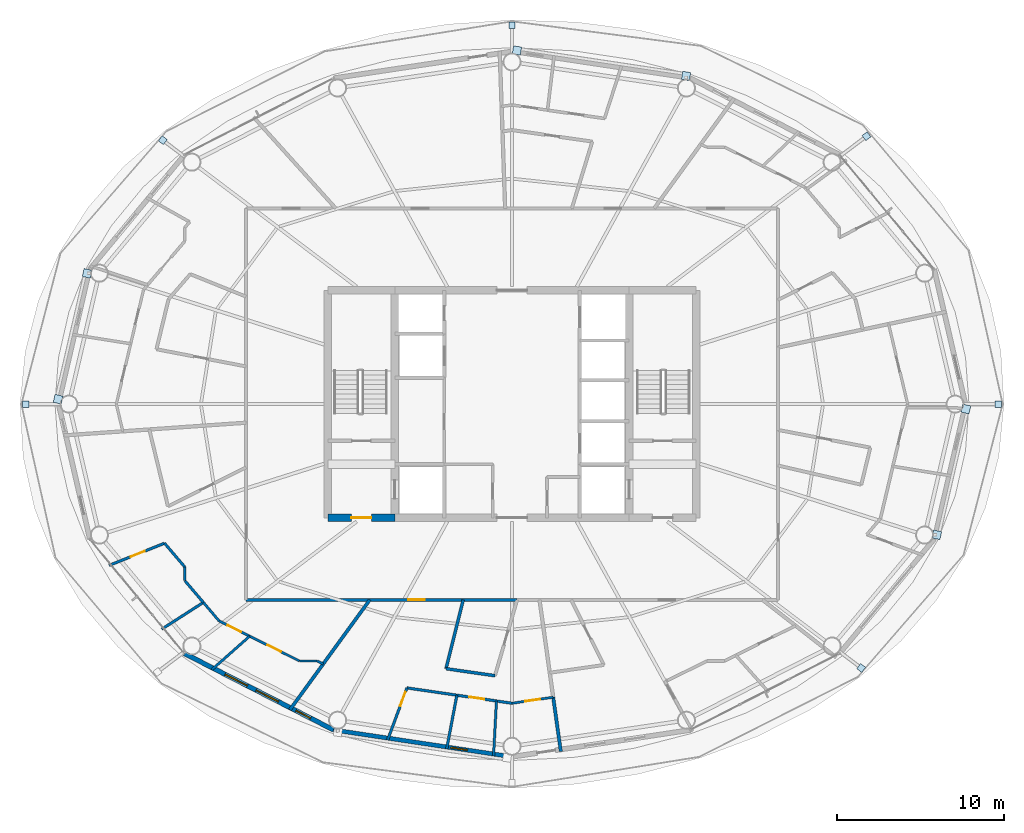
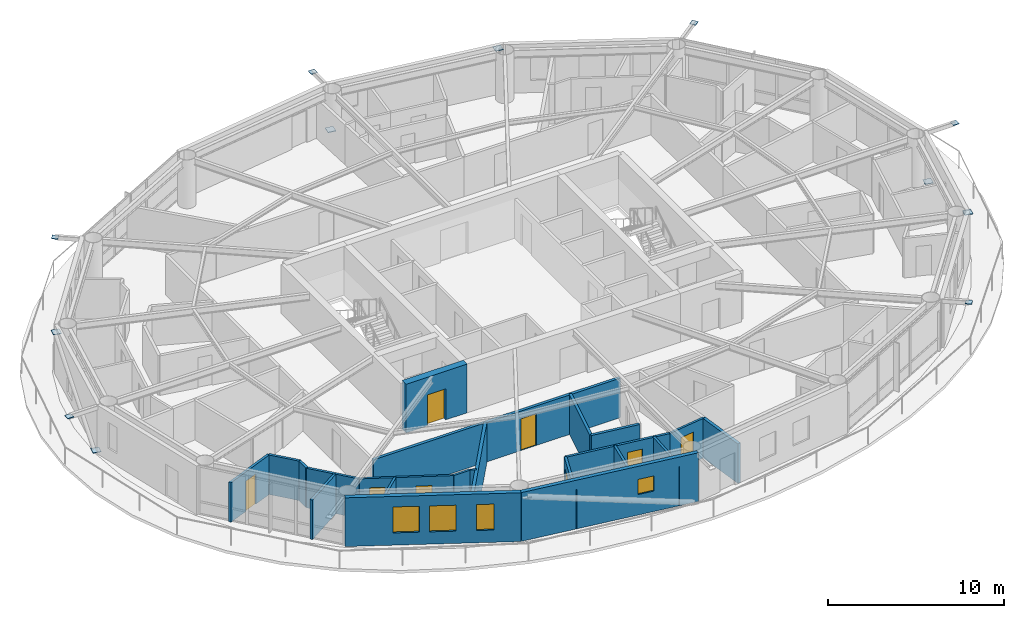
# One storey, part 19 of 29: 23 walls, 12 plates, 8 doors, 4 windows, 12 openings.
"""IFC4 building model written with IfcOpenShell, lengths in metres."""

from ifc_helpers import new_model, si_unit, direction, frame, frame_2d, origin, origin_2d, place, context, subcontext, project, spatial, rectangle, extrude, material, layer, layer_set, type_object, element, fill, save


model = new_model("IFC4")

# Units and contexts
model_context = context("Model", 3, precision=1e-05, world=origin(), true_north=direction((0.0, 1.0)))
body_context = subcontext(model_context, "Body", "Model", "MODEL_VIEW")
ifc_project = project(units=[si_unit("LENGTHUNIT", "METRE"), si_unit("AREAUNIT", "SQUARE_METRE"), si_unit("VOLUMEUNIT", "CUBIC_METRE"), si_unit("PLANEANGLEUNIT", "RADIAN"), si_unit("MASSUNIT", "GRAM", prefix="KILO")], contexts=[model_context])

# Site, building, storey
site_placement = place(None, origin())
site = spatial("IfcSite", under=ifc_project, at=site_placement, CompositionType="ELEMENT")
building_placement = place(site_placement, origin())
building = spatial("IfcBuilding", under=site, at=building_placement, Name="Sarneth Arch Tower", CompositionType="ELEMENT")
storey_placement = place(building_placement, frame((0.0, 0.0, 165.0)))
storey = spatial("IfcBuildingStorey", under=building, at=storey_placement, Name="L41", CompositionType="ELEMENT", Elevation=165.0)

# Plates
ifc_material_1 = material(Name="Steel S355", Category="steel")
ifc_layer_1 = layer(ifc_material_1, 0.035888671875)
ifc_layer_set_1 = layer_set([ifc_layer_1], Name="Steel S355")
plate_type = type_object("IfcPlateType", Name="PLT-GUSSET-30", PredefinedType="SHEET", material=ifc_layer_set_1)
for number, where, z_axis, x_axis, name in (
    (1, (77.052978515625, 42.0, 3.2021484375), (0.0, 0.0, 1.0), (1.0, 0.0, 0.0), "Steel end cap plate GP-1"),
    (2, (69.186279296875, 58.011474609375, 3.2021484375), (0.0, 0.0, 1.0), (0.797794439539, 0.602929541689, 0.0), "Steel end cap plate GP-1"),
):
    element("IfcPlate", number, at=place(storey_placement, frame(where, z_axis=z_axis, x_axis=x_axis)), inside=storey, type_object=plate_type, Name=name, PredefinedType="SHEET", context=body_context, shape_type="SweptSolid", body=[
        extrude(rectangle(XDim=0.3798828125, YDim=0.3798828125, at=origin_2d()), origin(), (0.0, 0.0, 1.0), 0.035888671875),
    ])
for number, where, z_axis, x_axis, name in (
    (3, (48.296630859375, 63.13525390625, 0.001953125), (0.0, 0.0, 1.0), (-0.98883454203, 0.149017611339, 0.0), "Steel end cap plate GP-1"),
    (4, (58.404296875, 61.612548828125, 3.03271484375), (0.0, 0.0, 1.0), (-0.98883454203, 0.149017611339, 0.0), "Steel end cap plate GP-1"),
):
    element("IfcPlate", number, at=place(storey_placement, frame(where, z_axis=z_axis, x_axis=x_axis)), inside=storey, type_object=plate_type, Name=name, PredefinedType="SHEET", context=body_context, shape_type="SweptSolid", body=[
        extrude(rectangle(XDim=0.486083984375, YDim=0.486083984375, at=origin_2d()), origin(), (0.0, 0.0, 1.0), 0.035888671875),
    ])
for number, where, z_axis, x_axis, name in (
    (5, (48.0, 64.634033203125, 3.2021484375), (0.0, 0.0, 1.0), (0.0, 1.0, 0.0), "Steel end cap plate GP-1"),
    (6, (27.12939453125, 57.77294921875, 3.2021484375), (0.0, 0.0, 1.0), (-0.797794439539, 0.602929541689, 0.0), "Steel end cap plate GP-1"),
):
    element("IfcPlate", number, at=place(storey_placement, frame(where, z_axis=z_axis, x_axis=x_axis)), inside=storey, type_object=plate_type, Name=name, PredefinedType="SHEET", context=body_context, shape_type="SweptSolid", body=[
        extrude(rectangle(XDim=0.3798828125, YDim=0.3798828125, at=origin_2d()), origin(), (0.0, 0.0, 1.0), 0.035888671875),
    ])
for number, where, z_axis, x_axis, name in (
    (7, (20.87109375, 42.292236328125, 0.001953125), (0.0, 0.0, 1.0), (-0.225291159947, -0.974291482694, 0.0), "Steel end cap plate GP-1"),
    (8, (22.609619140625, 49.81298828125, 3.03271484375), (0.0, 0.0, 1.0), (-0.225291159947, -0.974291482694, 0.0), "Steel end cap plate GP-1"),
):
    element("IfcPlate", number, at=place(storey_placement, frame(where, z_axis=z_axis, x_axis=x_axis)), inside=storey, type_object=plate_type, Name=name, PredefinedType="SHEET", context=body_context, shape_type="SweptSolid", body=[
        extrude(rectangle(XDim=0.486083984375, YDim=0.486083984375, at=origin_2d()), origin(), (0.0, 0.0, 1.0), 0.035888671875),
    ])
for number, where, z_axis, x_axis, name in (
    (9, (18.947021484375, 42.0, 3.2021484375), (0.0, 0.0, 1.0), (-1.0, 0.0, 0.0), "Steel end cap plate GP-1"),
    (10, (68.87060546875, 26.22705078125, 3.2021484375), (0.0, 0.0, 1.0), (0.797794439539, -0.602929541689, 0.0), "Steel end cap plate GP-1"),
):
    element("IfcPlate", number, at=place(storey_placement, frame(where, z_axis=z_axis, x_axis=x_axis)), inside=storey, type_object=plate_type, Name=name, PredefinedType="SHEET", context=body_context, shape_type="SweptSolid", body=[
        extrude(rectangle(XDim=0.3798828125, YDim=0.3798828125, at=origin_2d()), origin(), (0.0, 0.0, 1.0), 0.035888671875),
    ])
for number, where, z_axis, x_axis, name in (
    (11, (75.12890625, 41.707763671875, 0.001953125), (0.0, 0.0, 1.0), (0.225291159947, 0.974291482694, 0.0), "Steel end cap plate GP-1"),
    (12, (73.390380859375, 34.18701171875, 3.03271484375), (0.0, 0.0, 1.0), (0.225291159947, 0.974291482694, 0.0), "Steel end cap plate GP-1"),
):
    element("IfcPlate", number, at=place(storey_placement, frame(where, z_axis=z_axis, x_axis=x_axis)), inside=storey, type_object=plate_type, Name=name, PredefinedType="SHEET", context=body_context, shape_type="SweptSolid", body=[
        extrude(rectangle(XDim=0.486083984375, YDim=0.486083984375, at=origin_2d()), origin(), (0.0, 0.0, 1.0), 0.035888671875),
    ])

# Wall, opening, door
ifc_material_2 = material(Name="Concrete C50/60", Category="concrete")
ifc_layer_2 = layer(ifc_material_2, 0.449951171875)
ifc_layer_set_2 = layer_set([ifc_layer_2], Name="Concrete C50/60")
wall_type_1 = type_object("IfcWallType", Name="WALL-CORE-450", PredefinedType="SHEAR", material=ifc_layer_set_2)
wall_1_placement = place(storey_placement, frame((37.0, 35.199951171875, 0.0), z_axis=(0.0, 0.0, 1.0), x_axis=(1.0, 0.0, 0.0)))
wall_1 = element("IfcWall", 13, at=wall_1_placement, inside=storey, type_object=wall_type_1, Name="L41 Core shear wall S-W", PredefinedType="SHEAR", context=body_context, shape_type="SweptSolid", body=[
    extrude(rectangle(XDim=4.0, YDim=0.449951171875, at=frame_2d((2.0, 0.0))), origin(), (0.0, 0.0, 1.0), 3.3798828125),
])
opening_1_placement = place(wall_1_placement, frame((1.39990234375, 0.0, 0.0)))
opening_1 = element("IfcOpeningElement", 14, at=opening_1_placement, cuts=wall_1, Name="Opening FD-02", PredefinedType="OPENING", context=body_context, shape_type="SweptSolid", body=[
    extrude(rectangle(XDim=1.199951171875, YDim=2.14990234375, at=frame_2d((0.60009765625, 1.074951171875))), frame((0.0, 0.23486328125, 0.0), z_axis=(0.0, -1.0, 0.0), x_axis=(1.0, 0.0, 0.0)), (0.0, 0.0, 1.0), 0.469970703125),
])
ifc_material_3 = material(Name="Galvanised Steel S275 fire door set", Category="steel")
door_type_1 = type_object("IfcDoorType", Name="DR-FD90-1200", OperationType="SINGLE_SWING_LEFT", PredefinedType="DOOR", material=ifc_material_3)
door_1_placement = place(opening_1_placement, origin())
door_1 = element("IfcDoor", 15, at=door_1_placement, inside=storey, type_object=door_type_1, Name="L41 Firefighting lobby 1 exit door", OperationType="SINGLE_SWING_LEFT", OverallHeight=2.14990234375, OverallWidth=1.199951171875, PredefinedType="DOOR", context=body_context, shape_type="SweptSolid", body=[
    extrude(rectangle(XDim=1.199951171875, YDim=2.14990234375, at=frame_2d((0.60009765625, 1.074951171875))), frame((0.0, 0.02490234375, 0.0), z_axis=(0.0, -1.0, 0.0), x_axis=(1.0, 0.0, 0.0)), (0.0, 0.0, 1.0), 0.050048828125),
])
fill(opening_1, door_1)

ifc_material_4 = material(Name="Double steel-stud corridor fire wall", Category="steel")
ifc_layer_3 = layer(ifc_material_4, 0.18994140625)
ifc_layer_set_3 = layer_set([ifc_layer_3], Name="Double steel-stud corridor fire wall")
wall_type_2 = type_object("IfcWallType", Name="WALL-CORR-190", PredefinedType="PARTITIONING", material=ifc_layer_set_3)
wall_2_placement = place(storey_placement, frame((48.307861328125, 30.300048828125, 0.0), z_axis=(0.0, 0.0, 1.0), x_axis=(-1.0, 0.0, 0.0)))
wall_2 = element("IfcWall", 16, at=wall_2_placement, inside=storey, type_object=wall_type_2, Name="L41 Interior partition W-L41-TP-011", PredefinedType="PARTITIONING", context=body_context, shape_type="SweptSolid", body=[
    extrude(rectangle(XDim=16.207763671875, YDim=0.18994140625, at=frame_2d((8.10400390625, 0.0))), origin(), (0.0, 0.0, 1.0), 2.739990234375),
])
opening_2_placement = place(wall_2_placement, frame((5.52001953125, 0.0, 0.0)))
opening_2 = element("IfcOpeningElement", 17, at=opening_2_placement, cuts=wall_2, Name="Opening FD-08", PredefinedType="OPENING", context=body_context, shape_type="SweptSolid", body=[
    extrude(rectangle(XDim=1.0, YDim=2.199951171875, at=frame_2d((0.5, 1.10009765625))), frame((0.0, 0.10498046875, 0.0), z_axis=(0.0, -1.0, 0.0), x_axis=(1.0, 0.0, 0.0)), (0.0, 0.0, 1.0), 0.2099609375),
])
ifc_material_5 = material(Name="Hardwood timber acoustic fire door", Category="wood")
door_type_2 = type_object("IfcDoorType", Name="DR-FD60-1000", OperationType="SINGLE_SWING_LEFT", PredefinedType="DOOR", material=ifc_material_5)
door_2_placement = place(opening_2_placement, origin())
door_2 = element("IfcDoor", 18, at=door_2_placement, inside=storey, type_object=door_type_2, Name="L41 Interior door DR-L41-U6-ENT", OperationType="SINGLE_SWING_RIGHT", OverallHeight=2.199951171875, OverallWidth=1.0, PredefinedType="DOOR", context=body_context, shape_type="SweptSolid", body=[
    extrude(rectangle(XDim=1.0, YDim=2.199951171875, at=frame_2d((0.5, 1.10009765625))), frame((0.0, 0.02490234375, 0.0), z_axis=(0.0, -1.0, 0.0), x_axis=(1.0, 0.0, 0.0)), (0.0, 0.0, 1.0), 0.050048828125),
])
fill(opening_2, door_2)

# Wall, opening, window
ifc_material_6 = material(Name="Extruded terracotta rainscreen on Concrete C40/50 backing", Category="masonry")
ifc_layer_4 = layer(ifc_material_6, 0.25)
ifc_layer_set_4 = layer_set([ifc_layer_4], Name="Extruded terracotta rainscreen on Concrete C40/50 backing")
wall_type_3 = type_object("IfcWallType", Name="WALL-EXT-SPAND-250", PredefinedType="SOLIDWALL", material=ifc_layer_set_4)
wall_3_placement = place(storey_placement, frame((37.337158203125, 22.524658203125, 0.0), z_axis=(0.0, 0.0, 1.0), x_axis=(0.988863993413, -0.148822049884, 0.0)))
wall_3 = element("IfcWall", 19, at=wall_3_placement, inside=storey, type_object=wall_type_3, Name="L41 Terracotta perimeter wall 12", PredefinedType="SOLIDWALL", context=body_context, shape_type="SweptSolid", body=[
    extrude(rectangle(XDim=10.782958984375, YDim=0.25, at=frame_2d((5.3916015625, 0.0))), origin(), (0.0, 0.0, 1.0), 3.3798828125),
])
opening_3_placement = place(wall_3_placement, frame((7.09033203125, 0.0, 1.419921875)))
opening_3 = element("IfcOpeningElement", 20, at=opening_3_placement, cuts=wall_3, Name="Opening W-14", PredefinedType="OPENING", context=body_context, shape_type="SweptSolid", body=[
    extrude(rectangle(XDim=1.0, YDim=1.050048828125, at=frame_2d((0.5, 0.52490234375))), frame((0.0, 0.135009765625, 0.0), z_axis=(0.0, -1.0, 0.0), x_axis=(1.0, 0.0, 0.0)), (0.0, 0.0, 1.0), 0.27001953125),
])
ifc_material_7 = material(Name="Thermally broken Aluminium 6063-T6 and low-e laminated IGU", Category="aluminium")
window_type_1 = type_object("IfcWindowType", Name="WIN-TWR-1000x1050", PartitioningType="SINGLE_PANEL", PredefinedType="WINDOW", material=ifc_material_7)
window_1_placement = place(opening_3_placement, origin())
window_1 = element("IfcWindow", 21, at=window_1_placement, inside=storey, type_object=window_type_1, Name="L41 Dwelling bedroom window 05", OverallHeight=1.050048828125, OverallWidth=1.0, PartitioningType="SINGLE_PANEL", PredefinedType="WINDOW", context=body_context, shape_type="SweptSolid", body=[
    extrude(rectangle(XDim=1.0, YDim=1.050048828125, at=frame_2d((0.5, 0.52490234375))), frame((0.0, 0.030029296875, 0.0), z_axis=(0.0, -1.0, 0.0), x_axis=(1.0, 0.0, 0.0)), (0.0, 0.0, 1.0), 0.06005859375),
])
fill(opening_3, window_1)

# Wall, openings, windows
ifc_material_8 = material(Name="Extruded terracotta rainscreen on Concrete C40/50 backing", Category="masonry")
ifc_layer_5 = layer(ifc_material_8, 0.280029296875)
ifc_layer_set_5 = layer_set([ifc_layer_5], Name="Extruded terracotta rainscreen on Concrete C40/50 backing")
wall_type_4 = type_object("IfcWallType", Name="WALL-EXT-TERRA-280", PredefinedType="SOLIDWALL", material=ifc_layer_set_5)
wall_4_placement = place(storey_placement, frame((28.423828125, 27.09423828125, 0.0), z_axis=(0.0, 0.0, 1.0), x_axis=(0.889872523182, -0.456209263919, 0.0)))
wall_4 = element("IfcWall", 22, at=wall_4_placement, inside=storey, type_object=wall_type_4, Name="L41 Terracotta perimeter wall 11", PredefinedType="SOLIDWALL", context=body_context, shape_type="SweptSolid", body=[
    extrude(rectangle(XDim=10.016357421875, YDim=0.280029296875, at=frame_2d((5.00830078125, 0.0))), origin(), (0.0, 0.0, 1.0), 3.3798828125),
])
opening_4_placement = place(wall_4_placement, frame((2.729248046875, 0.0, 0.85009765625)))
opening_4 = element("IfcOpeningElement", 23, at=opening_4_placement, cuts=wall_4, Name="Opening W-07", PredefinedType="OPENING", context=body_context, shape_type="SweptSolid", body=[
    extrude(rectangle(XDim=1.5, YDim=1.800048828125, at=frame_2d((0.75, 0.89990234375))), frame((0.0, 0.14990234375, 0.0), z_axis=(0.0, -1.0, 0.0), x_axis=(1.0, 0.0, 0.0)), (0.0, 0.0, 1.0), 0.300048828125),
])
opening_5_placement = place(wall_4_placement, frame((4.81103515625, 0.0, 0.85009765625)))
opening_5 = element("IfcOpeningElement", 24, at=opening_5_placement, cuts=wall_4, Name="Opening W-07", PredefinedType="OPENING", context=body_context, shape_type="SweptSolid", body=[
    extrude(rectangle(XDim=1.5, YDim=1.800048828125, at=frame_2d((0.75, 0.89990234375))), frame((0.0, 0.14990234375, 0.0), z_axis=(0.0, -1.0, 0.0), x_axis=(1.0, 0.0, 0.0)), (0.0, 0.0, 1.0), 0.300048828125),
])
opening_6_placement = place(wall_4_placement, frame((7.479248046875, 0.0, 0.85009765625)))
opening_6 = element("IfcOpeningElement", 25, at=opening_6_placement, cuts=wall_4, Name="Opening W-11", PredefinedType="OPENING", context=body_context, shape_type="SweptSolid", body=[
    extrude(rectangle(XDim=1.0, YDim=1.800048828125, at=frame_2d((0.5, 0.89990234375))), frame((0.0, 0.14990234375, 0.0), z_axis=(0.0, -1.0, 0.0), x_axis=(1.0, 0.0, 0.0)), (0.0, 0.0, 1.0), 0.300048828125),
])
ifc_material_9 = material(Name="Thermally broken Aluminium 6063-T6 and low-e laminated IGU", Category="aluminium")
window_type_2 = type_object("IfcWindowType", Name="WIN-TWR-1000x1800", PartitioningType="SINGLE_PANEL", PredefinedType="WINDOW", material=ifc_material_9)
window_2_placement = place(opening_6_placement, origin())
window_2 = element("IfcWindow", 26, at=window_2_placement, inside=storey, type_object=window_type_2, Name="L41 Exterior window 11C", OverallHeight=1.800048828125, OverallWidth=1.0, PartitioningType="SINGLE_PANEL", PredefinedType="WINDOW", context=body_context, shape_type="SweptSolid", body=[
    extrude(rectangle(XDim=1.0, YDim=1.800048828125, at=frame_2d((0.5, 0.89990234375))), frame((0.0, 0.030029296875, 0.0), z_axis=(0.0, -1.0, 0.0), x_axis=(1.0, 0.0, 0.0)), (0.0, 0.0, 1.0), 0.06005859375),
])
fill(opening_6, window_2)
ifc_material_10 = material(Name="Thermally broken Aluminium 6063-T6 and low-e laminated IGU", Category="aluminium")
window_type_3 = type_object("IfcWindowType", Name="WIN-TWR-1500x1800", PartitioningType="SINGLE_PANEL", PredefinedType="WINDOW", material=ifc_material_10)
window_3_placement = place(opening_4_placement, origin())
window_3 = element("IfcWindow", 27, at=window_3_placement, inside=storey, type_object=window_type_3, Name="L41 Exterior window 11A", OverallHeight=1.800048828125, OverallWidth=1.5, PartitioningType="SINGLE_PANEL", PredefinedType="WINDOW", context=body_context, shape_type="SweptSolid", body=[
    extrude(rectangle(XDim=1.5, YDim=1.800048828125, at=frame_2d((0.75, 0.89990234375))), frame((0.0, 0.030029296875, 0.0), z_axis=(0.0, -1.0, 0.0), x_axis=(1.0, 0.0, 0.0)), (0.0, 0.0, 1.0), 0.06005859375),
])
fill(opening_4, window_3)
window_4_placement = place(opening_5_placement, origin())
window_4 = element("IfcWindow", 28, at=window_4_placement, inside=storey, type_object=window_type_3, Name="L41 Exterior window 11B", OverallHeight=1.800048828125, OverallWidth=1.5, PartitioningType="SINGLE_PANEL", PredefinedType="WINDOW", context=body_context, shape_type="SweptSolid", body=[
    extrude(rectangle(XDim=1.5, YDim=1.800048828125, at=frame_2d((0.75, 0.89990234375))), frame((0.0, 0.030029296875, 0.0), z_axis=(0.0, -1.0, 0.0), x_axis=(1.0, 0.0, 0.0)), (0.0, 0.0, 1.0), 0.06005859375),
])
fill(opening_5, window_4)

# Wall, openings, doors
ifc_material_11 = material(Name="Apartment internal stud partition", Category="gypsum")
ifc_layer_6 = layer(ifc_material_11, 0.139892578125)
ifc_layer_set_6 = layer_set([ifc_layer_6], Name="Apartment internal stud partition")
wall_type_5 = type_object("IfcWallType", Name="WALL-PART-140", PredefinedType="PARTITIONING", material=ifc_layer_set_6)
wall_5_placement = place(storey_placement, frame((35.28662109375, 26.64990234375, 0.0), z_axis=(0.0, 0.0, 1.0), x_axis=(-0.894937323042, 0.44619187333, 0.0)))
wall_5 = element("IfcWall", 29, at=wall_5_placement, inside=storey, type_object=wall_type_5, Name="L41 Interior partition W-L41-TP-080", PredefinedType="PARTITIONING", context=body_context, shape_type="SweptSolid", body=[
    extrude(rectangle(XDim=5.35400390625, YDim=0.139892578125, at=frame_2d((2.677001953125, 0.0))), origin(), (0.0, 0.0, 1.0), 2.739990234375),
])
opening_7_placement = place(wall_5_placement, frame((1.22412109375, 0.0, 0.0)))
opening_7 = element("IfcOpeningElement", 30, at=opening_7_placement, cuts=wall_5, Name="Opening ID-01", PredefinedType="OPENING", context=body_context, shape_type="SweptSolid", body=[
    extrude(rectangle(XDim=0.89990234375, YDim=2.10009765625, at=frame_2d((0.449951171875, 1.050048828125))), frame((0.0, 0.079833984375, 0.0), z_axis=(0.0, -1.0, 0.0), x_axis=(1.0, 0.0, 0.0)), (0.0, 0.0, 1.0), 0.159912109375),
])
opening_8_placement = place(wall_5_placement, frame((3.8837890625, 0.0, 0.0)))
opening_8 = element("IfcOpeningElement", 31, at=opening_8_placement, cuts=wall_5, Name="Opening ID-01", PredefinedType="OPENING", context=body_context, shape_type="SweptSolid", body=[
    extrude(rectangle(XDim=0.89990234375, YDim=2.10009765625, at=frame_2d((0.449951171875, 1.050048828125))), frame((0.0, 0.079833984375, 0.0), z_axis=(0.0, -1.0, 0.0), x_axis=(1.0, 0.0, 0.0)), (0.0, 0.0, 1.0), 0.159912109375),
])
ifc_material_12 = material(Name="Engineered hardwood flush door", Category="wood")
door_type_3 = type_object("IfcDoorType", Name="DR-INT-900", OperationType="SINGLE_SWING_LEFT", PredefinedType="DOOR", material=ifc_material_12)
door_3_placement = place(opening_7_placement, origin())
door_3 = element("IfcDoor", 32, at=door_3_placement, inside=storey, type_object=door_type_3, Name="L41 Interior door DR-L41-U5-BED2", OperationType="SINGLE_SWING_RIGHT", OverallHeight=2.10009765625, OverallWidth=0.89990234375, PredefinedType="DOOR", context=body_context, shape_type="SweptSolid", body=[
    extrude(rectangle(XDim=0.89990234375, YDim=2.10009765625, at=frame_2d((0.449951171875, 1.050048828125))), frame((0.0, 0.02490234375, 0.0), z_axis=(0.0, -1.0, 0.0), x_axis=(1.0, 0.0, 0.0)), (0.0, 0.0, 1.0), 0.050048828125),
])
fill(opening_7, door_3)
door_4_placement = place(opening_8_placement, origin())
door_4 = element("IfcDoor", 33, at=door_4_placement, inside=storey, type_object=door_type_3, Name="L41 Interior door DR-L41-U5-BED1", OperationType="SINGLE_SWING_RIGHT", OverallHeight=2.10009765625, OverallWidth=0.89990234375, PredefinedType="DOOR", context=body_context, shape_type="SweptSolid", body=[
    extrude(rectangle(XDim=0.89990234375, YDim=2.10009765625, at=frame_2d((0.449951171875, 1.050048828125))), frame((0.0, 0.02490234375, 0.0), z_axis=(0.0, -1.0, 0.0), x_axis=(1.0, 0.0, 0.0)), (0.0, 0.0, 1.0), 0.050048828125),
])
fill(opening_8, door_4)

# Wall, opening, door
wall_6_placement = place(storey_placement, frame((50.46240234375, 24.47998046875, 0.0), z_axis=(0.0, 0.0, 1.0), x_axis=(-0.989489157172, -0.144607080872, 0.0)))
wall_6 = element("IfcWall", 34, at=wall_6_placement, inside=storey, type_object=wall_type_5, Name="L41 Interior partition W-L41-TP-091", PredefinedType="PARTITIONING", context=body_context, shape_type="SweptSolid", body=[
    extrude(rectangle(XDim=2.488525390625, YDim=0.139892578125, at=frame_2d((1.244140625, 0.0))), origin(), (0.0, 0.0, 1.0), 2.739990234375),
])
opening_9_placement = place(wall_6_placement, frame((0.794189453125, 0.0, 0.0)))
opening_9 = element("IfcOpeningElement", 35, at=opening_9_placement, cuts=wall_6, Name="Opening ID-01", PredefinedType="OPENING", context=body_context, shape_type="SweptSolid", body=[
    extrude(rectangle(XDim=0.89990234375, YDim=2.10009765625, at=frame_2d((0.449951171875, 1.050048828125))), frame((0.0, 0.079833984375, 0.0), z_axis=(0.0, -1.0, 0.0), x_axis=(1.0, 0.0, 0.0)), (0.0, 0.0, 1.0), 0.159912109375),
])
door_5_placement = place(opening_9_placement, origin())
door_5 = element("IfcDoor", 36, at=door_5_placement, inside=storey, type_object=door_type_3, Name="L41 Interior door DR-L41-U6-BED2", OperationType="SINGLE_SWING_LEFT", OverallHeight=2.10009765625, OverallWidth=0.89990234375, PredefinedType="DOOR", context=body_context, shape_type="SweptSolid", body=[
    extrude(rectangle(XDim=0.89990234375, YDim=2.10009765625, at=frame_2d((0.449951171875, 1.050048828125))), frame((0.0, 0.02490234375, 0.0), z_axis=(0.0, -1.0, 0.0), x_axis=(1.0, 0.0, 0.0)), (0.0, 0.0, 1.0), 0.050048828125),
])
fill(opening_9, door_5)

# Walls
wall_7_placement = place(storey_placement, frame((36.348876953125, 26.64990234375, 0.0), z_axis=(0.0, 0.0, 1.0), x_axis=(-1.0, 0.0, 0.0)))
element("IfcWall", 37, at=wall_7_placement, inside=storey, type_object=wall_type_5, Name="L41 Interior partition W-L41-TP-079", PredefinedType="PARTITIONING", context=body_context, shape_type="SweptSolid", body=[
    extrude(rectangle(XDim=1.062255859375, YDim=0.139892578125, at=frame_2d((0.53125, 0.0))), origin(), (0.0, 0.0, 1.0), 2.739990234375),
])
wall_8_placement = place(storey_placement, frame((36.715087890625, 26.467529296875, 0.0), z_axis=(0.0, 0.0, 1.0), x_axis=(-0.895142158028, 0.445780794698, 0.0)))
element("IfcWall", 38, at=wall_8_placement, inside=storey, type_object=wall_type_5, Name="L41 Interior partition W-L41-TP-078", PredefinedType="PARTITIONING", context=body_context, shape_type="SweptSolid", body=[
    extrude(rectangle(XDim=0.4091796875, YDim=0.139892578125, at=frame_2d((0.20458984375, 0.0))), origin(), (0.0, 0.0, 1.0), 2.739990234375),
])
ifc_material_13 = material(Name="Acoustic gypsum stud partition", Category="gypsum")
ifc_layer_7 = layer(ifc_material_13, 0.14990234375)
ifc_layer_set_7 = layer_set([ifc_layer_7], Name="Acoustic gypsum stud partition")
wall_type_6 = type_object("IfcWallType", Name="WALL-PART-150", PredefinedType="PARTITIONING", material=ifc_layer_set_7)
wall_9_placement = place(storey_placement, frame((46.897705078125, 20.965087890625, 0.0), z_axis=(0.0, 0.0, 1.0), x_axis=(0.052302203263, 0.998631303101, 0.0)))
element("IfcWall", 39, at=wall_9_placement, inside=storey, type_object=wall_type_6, Name="L41 Interior partition W-L41-TP-096", PredefinedType="PARTITIONING", context=body_context, shape_type="SweptSolid", body=[
    extrude(rectangle(XDim=3.29541015625, YDim=0.14990234375, at=frame_2d((1.647705078125, 0.0))), origin(), (0.0, 0.0, 1.0), 2.739990234375),
])
wall_10_placement = place(storey_placement, frame((32.321044921875, 28.12841796875, 0.0), z_axis=(0.0, 0.0, 1.0), x_axis=(-0.748956405403, -0.6626192744, 0.0)))
element("IfcWall", 40, at=wall_10_placement, inside=storey, type_object=wall_type_6, Name="L41 Interior partition W-L41-TP-083", PredefinedType="PARTITIONING", context=body_context, shape_type="SweptSolid", body=[
    extrude(rectangle(XDim=3.017333984375, YDim=0.14990234375, at=frame_2d((1.5087890625, 0.0))), origin(), (0.0, 0.0, 1.0), 2.739990234375),
])
wall_11_placement = place(storey_placement, frame((29.552978515625, 30.146484375, 0.0), z_axis=(0.0, 0.0, 1.0), x_axis=(0.647896934681, -0.761728010533, 0.0)))
element("IfcWall", 41, at=wall_11_placement, inside=storey, type_object=wall_type_6, Name="L41 Interior partition W-L41-TP-076", PredefinedType="PARTITIONING", context=body_context, shape_type="SweptSolid", body=[
    extrude(rectangle(XDim=1.4541015625, YDim=0.14990234375, at=frame_2d((0.72705078125, 0.0))), origin(), (0.0, 0.0, 1.0), 2.739990234375),
])

# Wall, opening, door
ifc_material_14 = material(Name="Kitchen wet service chase wall", Category="gypsum")
ifc_layer_8 = layer(ifc_material_14, 0.159912109375)
ifc_layer_set_8 = layer_set([ifc_layer_8], Name="Kitchen wet service chase wall")
wall_type_7 = type_object("IfcWallType", Name="WALL-PLUMB-160", PredefinedType="PLUMBINGWALL", material=ifc_layer_set_8)
wall_12_placement = place(storey_placement, frame((23.920654296875, 32.359619140625, 0.0), z_axis=(0.0, 0.0, 1.0), x_axis=(0.928353942887, 0.371697399408, 0.0)))
wall_12 = element("IfcWall", 42, at=wall_12_placement, inside=storey, type_object=wall_type_7, Name="L41 Interior partition W-L41-TP-070", PredefinedType="PLUMBINGWALL", context=body_context, shape_type="SweptSolid", body=[
    extrude(rectangle(XDim=3.56787109375, YDim=0.159912109375, at=frame_2d((1.783935546875, 0.0))), origin(), (0.0, 0.0, 1.0), 2.739990234375),
])
opening_10_placement = place(wall_12_placement, frame((1.39404296875, 0.0, 0.0)))
opening_10 = element("IfcOpeningElement", 43, at=opening_10_placement, cuts=wall_12, Name="Opening ID-01", PredefinedType="OPENING", context=body_context, shape_type="SweptSolid", body=[
    extrude(rectangle(XDim=0.89990234375, YDim=2.10009765625, at=frame_2d((0.449951171875, 1.050048828125))), frame((0.0, 0.08984375, 0.0), z_axis=(0.0, -1.0, 0.0), x_axis=(1.0, 0.0, 0.0)), (0.0, 0.0, 1.0), 0.179931640625),
])
door_6_placement = place(opening_10_placement, origin())
door_6 = element("IfcDoor", 44, at=door_6_placement, inside=storey, type_object=door_type_3, Name="L41 Interior door DR-L41-U5-KIT", OperationType="SINGLE_SWING_RIGHT", OverallHeight=2.10009765625, OverallWidth=0.89990234375, PredefinedType="DOOR", context=body_context, shape_type="SweptSolid", body=[
    extrude(rectangle(XDim=0.89990234375, YDim=2.10009765625, at=frame_2d((0.449951171875, 1.050048828125))), frame((0.0, 0.02490234375, 0.0), z_axis=(0.0, -1.0, 0.0), x_axis=(1.0, 0.0, 0.0)), (0.0, 0.0, 1.0), 0.050048828125),
])
fill(opening_10, door_6)

wall_13_placement = place(storey_placement, frame((41.719482421875, 25.03857421875, 0.0), z_axis=(0.0, 0.0, 1.0), x_axis=(-0.347266531909, -0.937766471898, 0.0)))
wall_13 = element("IfcWall", 45, at=wall_13_placement, inside=storey, type_object=wall_type_7, Name="L41 Interior partition W-L41-TP-086", PredefinedType="PLUMBINGWALL", context=body_context, shape_type="SweptSolid", body=[
    extrude(rectangle(XDim=3.325439453125, YDim=0.159912109375, at=frame_2d((1.66259765625, 0.0))), origin(), (0.0, 0.0, 1.0), 2.739990234375),
])
opening_11_placement = place(wall_13_placement, frame((0.252685546875, 0.0, 0.0)))
opening_11 = element("IfcOpeningElement", 46, at=opening_11_placement, cuts=wall_13, Name="Opening ID-01", PredefinedType="OPENING", context=body_context, shape_type="SweptSolid", body=[
    extrude(rectangle(XDim=0.89990234375, YDim=2.10009765625, at=frame_2d((0.449951171875, 1.050048828125))), frame((0.0, 0.08984375, 0.0), z_axis=(0.0, -1.0, 0.0), x_axis=(1.0, 0.0, 0.0)), (0.0, 0.0, 1.0), 0.179931640625),
])
door_7_placement = place(opening_11_placement, origin())
door_7 = element("IfcDoor", 47, at=door_7_placement, inside=storey, type_object=door_type_3, Name="L41 Interior door DR-L41-U6-KIT", OperationType="SINGLE_SWING_LEFT", OverallHeight=2.10009765625, OverallWidth=0.89990234375, PredefinedType="DOOR", context=body_context, shape_type="SweptSolid", body=[
    extrude(rectangle(XDim=0.89990234375, YDim=2.10009765625, at=frame_2d((0.449951171875, 1.050048828125))), frame((0.0, 0.02490234375, 0.0), z_axis=(0.0, -1.0, 0.0), x_axis=(1.0, 0.0, 0.0)), (0.0, 0.0, 1.0), 0.050048828125),
])
fill(opening_11, door_7)

# Wall
wall_14_placement = place(storey_placement, frame((44.09619140625, 21.38623046875, 0.0), z_axis=(0.0, 0.0, 1.0), x_axis=(0.186049333211, 0.982540404061, 0.0)))
element("IfcWall", 48, at=wall_14_placement, inside=storey, type_object=wall_type_7, Name="L41 Interior partition W-L41-TP-095", PredefinedType="PLUMBINGWALL", context=body_context, shape_type="SweptSolid", body=[
    extrude(rectangle(XDim=3.272705078125, YDim=0.159912109375, at=frame_2d((1.63623046875, 0.0))), origin(), (0.0, 0.0, 1.0), 2.739990234375),
])

# Wall, opening, door
wall_15_placement = place(storey_placement, frame((48.0, 24.1201171875, 0.0), z_axis=(0.0, 0.0, 1.0), x_axis=(-0.989475575411, 0.144699985022, 0.0)))
wall_15 = element("IfcWall", 49, at=wall_15_placement, inside=storey, type_object=wall_type_7, Name="L41 Interior partition W-L41-TP-085", PredefinedType="PLUMBINGWALL", context=body_context, shape_type="SweptSolid", body=[
    extrude(rectangle(XDim=6.347412109375, YDim=0.159912109375, at=frame_2d((3.173828125, 0.0))), origin(), (0.0, 0.0, 1.0), 2.739990234375),
])
opening_12_placement = place(wall_15_placement, frame((1.684814453125, 0.0, 0.0)))
opening_12 = element("IfcOpeningElement", 50, at=opening_12_placement, cuts=wall_15, Name="Opening ID-01", PredefinedType="OPENING", context=body_context, shape_type="SweptSolid", body=[
    extrude(rectangle(XDim=0.89990234375, YDim=2.10009765625, at=frame_2d((0.449951171875, 1.050048828125))), frame((0.0, 0.08984375, 0.0), z_axis=(0.0, -1.0, 0.0), x_axis=(1.0, 0.0, 0.0)), (0.0, 0.0, 1.0), 0.179931640625),
])
door_8_placement = place(opening_12_placement, origin())
door_8 = element("IfcDoor", 51, at=door_8_placement, inside=storey, type_object=door_type_3, Name="L41 Interior door DR-L41-U6-BED1", OperationType="SINGLE_SWING_RIGHT", OverallHeight=2.10009765625, OverallWidth=0.89990234375, PredefinedType="DOOR", context=body_context, shape_type="SweptSolid", body=[
    extrude(rectangle(XDim=0.89990234375, YDim=2.10009765625, at=frame_2d((0.449951171875, 1.050048828125))), frame((0.0, 0.02490234375, 0.0), z_axis=(0.0, -1.0, 0.0), x_axis=(1.0, 0.0, 0.0)), (0.0, 0.0, 1.0), 0.050048828125),
])
fill(opening_12, door_8)

# Walls
wall_16_placement = place(storey_placement, frame((29.552978515625, 30.146484375, 0.0), z_axis=(0.0, 0.0, 1.0), x_axis=(-0.841296531109, -0.540573904978, 0.0)))
element("IfcWall", 52, at=wall_16_placement, inside=storey, type_object=wall_type_7, Name="L41 Interior partition W-L41-TP-082", PredefinedType="PLUMBINGWALL", context=body_context, shape_type="SweptSolid", body=[
    extrude(rectangle(XDim=2.9560546875, YDim=0.159912109375, at=frame_2d((1.47802734375, 0.0))), origin(), (0.0, 0.0, 1.0), 2.739990234375),
])
wall_17_placement = place(storey_placement, frame((27.23291015625, 33.685791015625, 0.0), z_axis=(0.0, 0.0, 1.0), x_axis=(0.648078524475, -0.761573519835, 0.0)))
element("IfcWall", 53, at=wall_17_placement, inside=storey, type_object=wall_type_7, Name="L41 Interior partition W-L41-TP-071", PredefinedType="PLUMBINGWALL", context=body_context, shape_type="SweptSolid", body=[
    extrude(rectangle(XDim=1.8779296875, YDim=0.159912109375, at=frame_2d((0.93896484375, 0.0))), origin(), (0.0, 0.0, 1.0), 2.739990234375),
])
wall_18_placement = place(storey_placement, frame((28.449951171875, 31.443359375, 0.0), z_axis=(0.0, 0.0, 1.0), x_axis=(0.64788149294, -0.761741144422, 0.0)))
element("IfcWall", 54, at=wall_18_placement, inside=storey, type_object=wall_type_7, Name="L41 Interior partition W-L41-TP-073", PredefinedType="PLUMBINGWALL", context=body_context, shape_type="SweptSolid", body=[
    extrude(rectangle(XDim=1.702392578125, YDim=0.159912109375, at=frame_2d((0.85107421875, 0.0))), origin(), (0.0, 0.0, 1.0), 2.739990234375),
])
wall_19_placement = place(storey_placement, frame((28.449951171875, 32.255615234375, 0.0), z_axis=(0.0, 0.0, 1.0), x_axis=(0.0, -1.0, 0.0)))
element("IfcWall", 55, at=wall_19_placement, inside=storey, type_object=wall_type_7, Name="L41 Interior partition W-L41-TP-072", PredefinedType="PLUMBINGWALL", context=body_context, shape_type="SweptSolid", body=[
    extrude(rectangle(XDim=0.812255859375, YDim=0.159912109375, at=frame_2d((0.40625, 0.0))), origin(), (0.0, 0.0, 1.0), 2.739990234375),
])
ifc_material_15 = material(Name="Moisture-resistant plumbing chase wall", Category="gypsum")
ifc_layer_9 = layer(ifc_material_15, 0.179931640625)
ifc_layer_set_9 = layer_set([ifc_layer_9], Name="Moisture-resistant plumbing chase wall")
wall_type_8 = type_object("IfcWallType", Name="WALL-PLUMB-180", PredefinedType="PLUMBINGWALL", material=ifc_layer_set_9)
wall_20_placement = place(storey_placement, frame((44.057373046875, 26.186767578125, 0.0), z_axis=(0.0, 0.0, 1.0), x_axis=(0.241939344098, 0.97029137571, 0.0)))
element("IfcWall", 56, at=wall_20_placement, inside=storey, type_object=wall_type_8, Name="L41 Interior partition W-L41-TP-089", PredefinedType="PLUMBINGWALL", context=body_context, shape_type="SweptSolid", body=[
    extrude(rectangle(XDim=4.2392578125, YDim=0.179931640625, at=frame_2d((2.11962890625, 0.0))), origin(), (0.0, 0.0, 1.0), 2.739990234375),
])
wall_21_placement = place(storey_placement, frame((46.9794921875, 25.7666015625, 0.0), z_axis=(0.0, 0.0, 1.0), x_axis=(-0.989820071869, 0.142324366588, 0.0)))
element("IfcWall", 57, at=wall_21_placement, inside=storey, type_object=wall_type_8, Name="L41 Interior partition W-L41-TP-088", PredefinedType="PLUMBINGWALL", context=body_context, shape_type="SweptSolid", body=[
    extrude(rectangle(XDim=2.9521484375, YDim=0.179931640625, at=frame_2d((1.47607421875, 0.0))), origin(), (0.0, 0.0, 1.0), 2.739990234375),
])
ifc_material_16 = material(Name="Double steel-stud acoustic drywall", Category="steel")
ifc_layer_10 = layer(ifc_material_16, 0.199951171875)
ifc_layer_set_10 = layer_set([ifc_layer_10], Name="Double steel-stud acoustic drywall")
wall_type_9 = type_object("IfcWallType", Name="WALL-UNIT-200", PredefinedType="PARTITIONING", material=ifc_layer_set_10)
wall_22_placement = place(storey_placement, frame((34.72607421875, 23.72998046875, 0.0), z_axis=(0.0, 0.0, 1.0), x_axis=(0.587785528328, 0.809016793823, 0.0)))
element("IfcWall", 58, at=wall_22_placement, inside=storey, type_object=wall_type_9, Name="L41 Interior partition W-L41-TP-081", PredefinedType="PARTITIONING", context=body_context, shape_type="SweptSolid", body=[
    extrude(rectangle(XDim=8.12109375, YDim=0.199951171875, at=frame_2d((4.060546875, 0.0))), origin(), (0.0, 0.0, 1.0), 2.739990234375),
])
wall_23_placement = place(storey_placement, frame((50.46240234375, 24.47998046875, 0.0), z_axis=(0.0, 0.0, 1.0), x_axis=(0.139145146576, -0.990271997072, 0.0)))
element("IfcWall", 59, at=wall_23_placement, inside=storey, type_object=wall_type_9, Name="L41 Interior partition W-L41-TP-097", PredefinedType="PARTITIONING", context=body_context, shape_type="SweptSolid", body=[
    extrude(rectangle(XDim=3.27392578125, YDim=0.199951171875, at=frame_2d((1.636962890625, 0.0))), origin(), (0.0, 0.0, 1.0), 2.739990234375),
])

save(model, "model.ifc")
